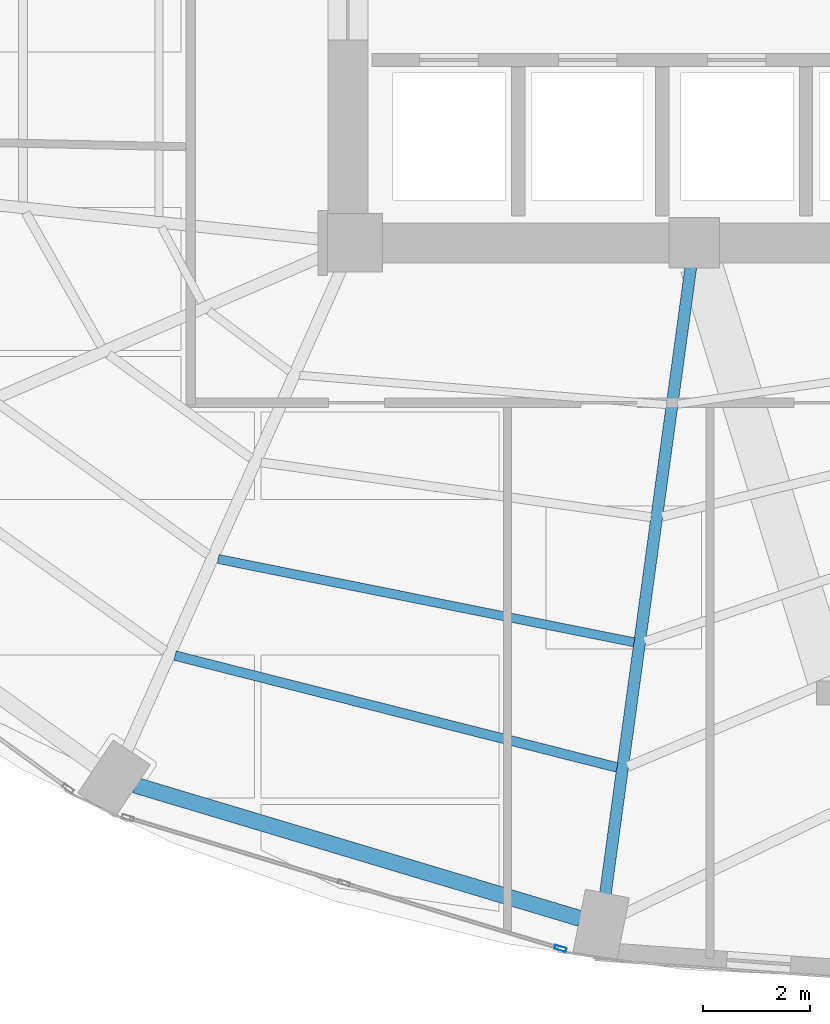
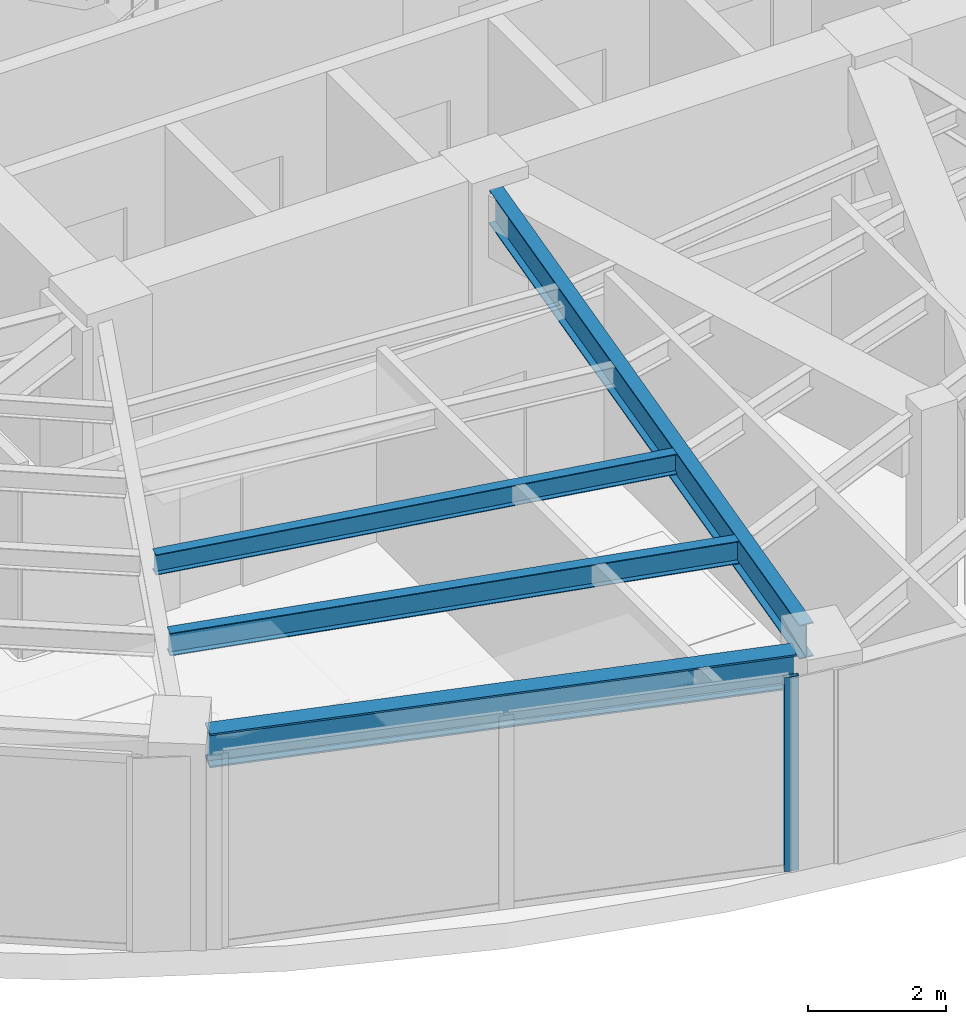
# One storey, part 5 of 23: 4 beams, 1 member, 1 element without a shape of its own.
"""IFC4 building model written with IfcOpenShell, lengths in metres."""

from ifc_helpers import new_model, si_unit, direction, frame, origin, origin_2d, place, context, subcontext, project, spatial, hollow_rectangle, i_section, extrude, material, layer, layer_set, material_profile, profile_set, type_object, element, aggregate, save


model = new_model("IFC4")

# Units and contexts
model_context = context("Model", 3, precision=1e-05, world=origin(), true_north=direction((0.0, 1.0)))
body_context = subcontext(model_context, "Body", "Model", "MODEL_VIEW")
ifc_project = project(units=[si_unit("LENGTHUNIT", "METRE"), si_unit("AREAUNIT", "SQUARE_METRE"), si_unit("VOLUMEUNIT", "CUBIC_METRE"), si_unit("PLANEANGLEUNIT", "RADIAN"), si_unit("MASSUNIT", "GRAM", prefix="KILO")], contexts=[model_context])

# Site, building, storey
site_placement = place(None, origin())
site = spatial("IfcSite", under=ifc_project, at=site_placement, CompositionType="ELEMENT")
building_placement = place(site_placement, origin())
building = spatial("IfcBuilding", under=site, at=building_placement, Name="Lazwardi Medical Tower", CompositionType="ELEMENT")
storey_placement = place(building_placement, frame((0.0, 0.0, 81.743896484375)))
storey = spatial("IfcBuildingStorey", under=building, at=storey_placement, Name="L20", CompositionType="ELEMENT", Elevation=81.743896484375)

# Beams
ifc_material_1 = material(Name="Steel S355", Category="steel")
ifc_material_profile_1 = material_profile(ifc_material_1, i_section(OverallWidth=0.300048828125, OverallDepth=0.60009765625, WebThickness=0.015380859375, FlangeThickness=0.030029296875, at=origin_2d()), Name="HEB 600")
ifc_profile_set_1 = profile_set([ifc_material_profile_1], Name="Steel S355")
beam_type_1 = type_object("IfcBeamType", Name="BM-RB-Z2", PredefinedType="BEAM", material=ifc_profile_set_1)
beam_1_placement = place(storey_placement, frame((22.30908203125, 10.224609375, 3.128173828125), z_axis=(0.957879438442, -0.287170648587, 0.0), x_axis=(0.287170648587, 0.957879438442, 0.0)))
element("IfcBeam", 1, at=beam_1_placement, inside=storey, type_object=beam_type_1, Name="Ring beam RB-03 B15 L20", PredefinedType="BEAM", context=body_context, shape_type="SweptSolid", body=[
    extrude(i_section(OverallWidth=0.300048828125, OverallDepth=0.60009765625, WebThickness=0.015380859375, FlangeThickness=0.030029296875, at=origin_2d()), origin(), (0.0, 0.0, 1.0), 8.719970703125),
])
ifc_material_profile_2 = material_profile(ifc_material_1, i_section(OverallWidth=0.219970703125, OverallDepth=0.60009765625, WebThickness=0.011962890625, FlangeThickness=0.01904296875, at=origin_2d()), Name="IPE 600")
ifc_profile_set_2 = profile_set([ifc_material_profile_2], Name="Steel S355")
beam_type_2 = type_object("IfcBeamType", Name="BM-RG-W1", PredefinedType="BEAM", material=ifc_profile_set_2)
beam_2_placement = place(storey_placement, frame((31.1328125, 8.17724609375, 3.128173828125), z_axis=(0.135147148002, 0.990825538825, 0.0), x_axis=(-0.990825538825, 0.135147148002, 0.0)))
element("IfcBeam", 2, at=beam_2_placement, inside=storey, type_object=beam_type_2, Name="Radial girder RG-02 R16 L20", PredefinedType="BEAM", context=body_context, shape_type="SweptSolid", body=[
    extrude(i_section(OverallWidth=0.219970703125, OverallDepth=0.60009765625, WebThickness=0.011962890625, FlangeThickness=0.01904296875, at=origin_2d()), origin(), (0.0, 0.0, 1.0), 11.875732421875),
])
ifc_material_profile_3 = material_profile(ifc_material_1, i_section(OverallWidth=0.179931640625, OverallDepth=0.39990234375, WebThickness=0.008544921875, FlangeThickness=0.013427734375, at=origin_2d()), Name="IPE 400")
ifc_profile_set_3 = profile_set([ifc_material_profile_3], Name="Steel S355")
beam_type_3 = type_object("IfcBeamType", Name="BM-SJ-01", PredefinedType="JOIST", material=ifc_profile_set_3)
beam_3_placement = place(storey_placement, frame((23.060302734375, 12.654296875, 3.22802734375), z_axis=(0.96945186753, -0.245281626997, 0.0), x_axis=(0.245281626997, 0.96945186753, 0.0)))
element("IfcBeam", 3, at=beam_3_placement, inside=storey, type_object=beam_type_3, Name="Secondary joist SJ-01 R1 B15 L20", PredefinedType="JOIST", context=body_context, shape_type="SweptSolid", body=[
    extrude(i_section(OverallWidth=0.179931640625, OverallDepth=0.39990234375, WebThickness=0.008544921875, FlangeThickness=0.013427734375, at=origin_2d()), origin(), (0.0, 0.0, 1.0), 8.552978515625),
])
ifc_material_profile_4 = material_profile(ifc_material_1, i_section(OverallWidth=0.169921875, OverallDepth=0.360107421875, WebThickness=0.008056640625, FlangeThickness=0.0126953125, at=origin_2d()), Name="IPE 360")
ifc_profile_set_4 = profile_set([ifc_material_profile_4], Name="Steel S355")
beam_type_4 = type_object("IfcBeamType", Name="BM-SJ-02", PredefinedType="JOIST", material=ifc_profile_set_4)
beam_4_placement = place(storey_placement, frame((23.8671875, 14.46728515625, 3.248046875), z_axis=(0.980542906584, -0.196304886203, 0.0), x_axis=(0.196304886203, 0.980542906584, 0.0)))
element("IfcBeam", 4, at=beam_4_placement, inside=storey, type_object=beam_type_4, Name="Secondary joist SJ-02 R2 B15 L20", PredefinedType="JOIST", context=body_context, shape_type="SweptSolid", body=[
    extrude(i_section(OverallWidth=0.169921875, OverallDepth=0.360107421875, WebThickness=0.008056640625, FlangeThickness=0.0126953125, at=origin_2d()), origin(), (0.0, 0.0, 1.0), 7.95947265625),
])

# Curtain wall, member
ifc_material_2 = material(Name="Anodised bronze aluminium and solar control glazing", Category="aluminium")
ifc_layer = layer(ifc_material_2, 0.195068359375)
ifc_layer_set = layer_set([ifc_layer], Name="Anodised bronze aluminium and solar control glazing")
curtain_wall_type = type_object("IfcCurtainWallType", Name="CW-SYS-03", PredefinedType="NOTDEFINED", material=ifc_layer_set)
curtain_wall_placement = place(storey_placement, origin())
curtain_wall = element("IfcCurtainWall", 5, at=curtain_wall_placement, inside=storey, type_object=curtain_wall_type, Name="L20 Unitised bronze curtain wall CW-03", PredefinedType="NOTDEFINED")
ifc_material_3 = material(Name="Anodised bronze aluminium", Category="aluminium")
ifc_material_profile_5 = material_profile(ifc_material_3, hollow_rectangle(XDim=0.074951171875, YDim=0.219970703125, WallThickness=0.00390625, at=origin_2d()), Name="ALU-MULLION 220x75x4")
ifc_profile_set_5 = profile_set([ifc_material_profile_5], Name="Anodised bronze aluminium")
member_type = type_object("IfcMemberType", Name="CW-MUL-01", PredefinedType="MULLION", material=ifc_profile_set_5)
member_placement = place(storey_placement, frame((30.289794921875, 7.159912109375, 0.0), z_axis=(0.0, 0.0, 1.0), x_axis=(0.28937381157, 0.957216170558, 0.0)))
member = element("IfcMember", 6, at=member_placement, type_object=member_type, Name="CW-03 mullion 3", PredefinedType="MULLION", context=body_context, shape_type="SweptSolid", body=[
    extrude(hollow_rectangle(XDim=0.074951171875, YDim=0.219970703125, WallThickness=0.00390625, at=origin_2d()), origin(), (0.0, 0.0, 1.0), 3.42822265625),
])
aggregate(curtain_wall, [member])

save(model, "model.ifc")
